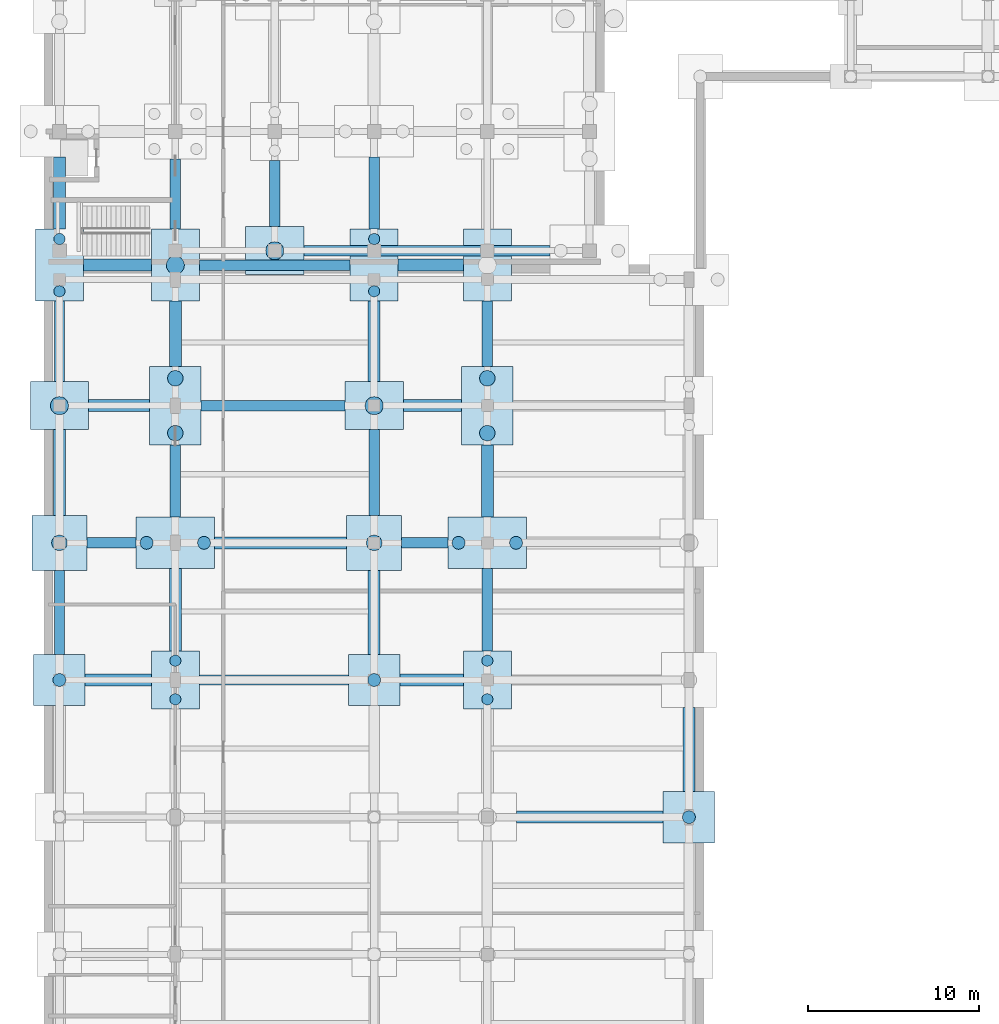
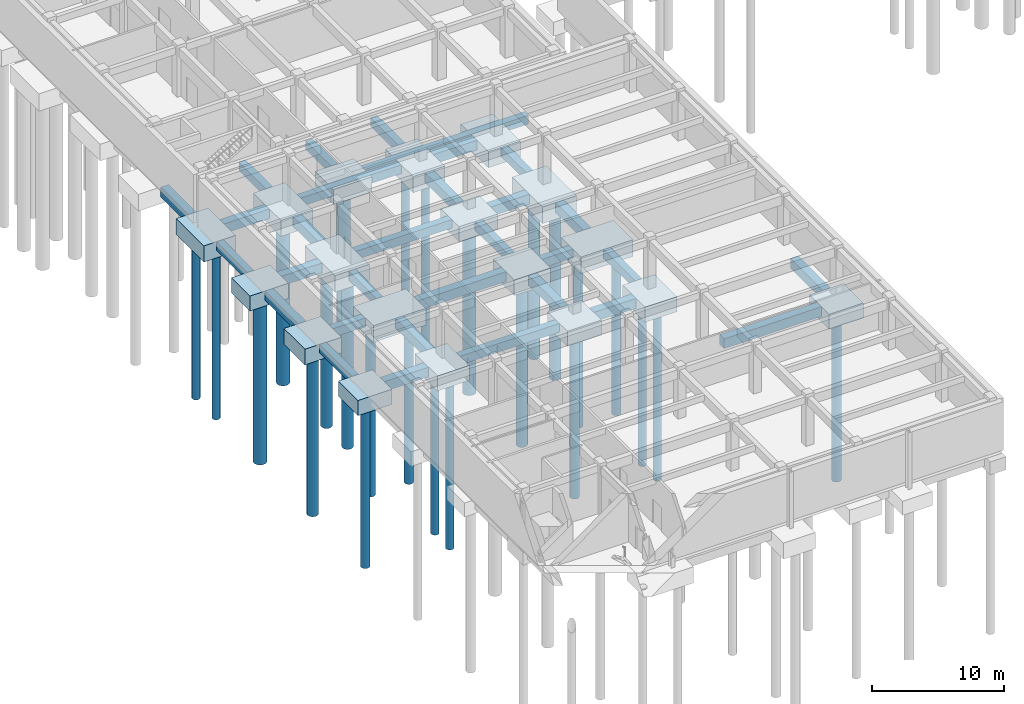
# One storey, part 2 of 35: 49 footings, 25 piles.
"""IFC4 building model written with IfcOpenShell, lengths in metres."""

from ifc_helpers import new_model, si_unit, direction, frame, origin, origin_2d, place, context, subcontext, project, spatial, polyline, rectangle, circle, outline, extrude, material, layer, layer_set, material_profile, profile_set, type_object, element, save


model = new_model("IFC4")

# Units and contexts
model_context = context("Model", 3, precision=1e-05, world=origin(), true_north=direction((0.0, 1.0)))
body_context = subcontext(model_context, "Body", "Model", "MODEL_VIEW")
ifc_project = project(units=[si_unit("LENGTHUNIT", "METRE"), si_unit("AREAUNIT", "SQUARE_METRE"), si_unit("VOLUMEUNIT", "CUBIC_METRE"), si_unit("PLANEANGLEUNIT", "RADIAN"), si_unit("MASSUNIT", "GRAM", prefix="KILO")], contexts=[model_context])

# Site, building, storey
site_placement = place(None, origin())
site = spatial("IfcSite", under=ifc_project, at=site_placement, CompositionType="ELEMENT")
building_placement = place(site_placement, origin())
building = spatial("IfcBuilding", under=site, at=building_placement, Name="Cinchona Park Media Centre", CompositionType="ELEMENT")
storey_placement = place(building_placement, frame((0.0, 0.0, -4.800048828125)))
storey = spatial("IfcBuildingStorey", under=building, at=storey_placement, Name="B1", CompositionType="ELEMENT", Elevation=-4.800048828125)

# Footings
ifc_material_1 = material(Name="Concrete C40/50", Category="concrete")
ifc_layer_1 = layer(ifc_material_1, 0.800048828125)
ifc_layer_set_1 = layer_set([ifc_layer_1], Name="Concrete C40/50")
footing_type_1 = type_object("IfcFootingType", Name="FTG-BEAM-FB01", PredefinedType="FOOTING_BEAM", material=ifc_layer_set_1)
footing_1_placement = place(storey_placement, frame((0.0, 0.0, -1.25)))
element("IfcFooting", 1, at=footing_1_placement, inside=storey, type_object=footing_type_1, Name="Ground Tie Beam FB01", PredefinedType="FOOTING_BEAM", context=body_context, shape_type="SweptSolid", body=[
    extrude(outline(polyline([(16.800048828125, 39.300048828125), (25.5, 39.300048828125), (25.5, 39.89990234375), (16.800048828125, 39.89990234375), (16.800048828125, 39.300048828125)])), origin(), (0.0, 0.0, 1.0), 0.800048828125),
])
footing_2_placement = place(storey_placement, frame((0.0, 0.0, -1.25)))
element("IfcFooting", 2, at=footing_2_placement, inside=storey, type_object=footing_type_1, Name="Ground Tie Beam FB01", PredefinedType="FOOTING_BEAM", context=body_context, shape_type="SweptSolid", body=[
    extrude(outline(polyline([(10.239990234375, 47.300048828125), (13.10009765625, 47.300048828125), (13.10009765625, 47.89990234375), (10.239990234375, 47.89990234375), (10.239990234375, 47.300048828125)])), origin(), (0.0, 0.0, 1.0), 0.800048828125),
])
footing_3_placement = place(storey_placement, frame((0.0, 0.0, -1.25)))
element("IfcFooting", 3, at=footing_3_placement, inside=storey, type_object=footing_type_1, Name="Ground Tie Beam FB01", PredefinedType="FOOTING_BEAM", context=body_context, shape_type="SweptSolid", body=[
    extrude(outline(polyline([(28.60009765625, 47.300048828125), (31.300048828125, 47.300048828125), (31.300048828125, 47.89990234375), (28.60009765625, 47.89990234375), (28.60009765625, 47.300048828125)])), origin(), (0.0, 0.0, 1.0), 0.800048828125),
])
footing_4_placement = place(storey_placement, frame((0.0, 0.0, -1.25)))
element("IfcFooting", 4, at=footing_4_placement, inside=storey, type_object=footing_type_1, Name="Ground Tie Beam FB01", PredefinedType="FOOTING_BEAM", context=body_context, shape_type="SweptSolid", body=[
    extrude(outline(polyline([(16.89990234375, 55.300048828125), (25.300048828125, 55.300048828125), (25.300048828125, 55.89990234375), (16.89990234375, 55.89990234375), (16.89990234375, 55.300048828125)])), origin(), (0.0, 0.0, 1.0), 0.800048828125),
])
footing_5_placement = place(storey_placement, frame((0.0, 0.0, -1.25)))
element("IfcFooting", 5, at=footing_5_placement, inside=storey, type_object=footing_type_1, Name="Ground Tie Beam FB01", PredefinedType="FOOTING_BEAM", context=body_context, shape_type="SweptSolid", body=[
    extrude(outline(polyline([(16.800048828125, 63.5), (25.60009765625, 63.5), (25.60009765625, 64.10009765625), (16.800048828125, 64.10009765625), (16.800048828125, 63.5)])), origin(), (0.0, 0.0, 1.0), 0.800048828125),
])
footing_6_placement = place(storey_placement, frame((0.0, 0.0, -1.25)))
element("IfcFooting", 6, at=footing_6_placement, inside=storey, type_object=footing_type_1, Name="Ground Tie Beam FB01", PredefinedType="FOOTING_BEAM", context=body_context, shape_type="SweptSolid", body=[
    extrude(outline(polyline([(22.89990234375, 64.340087890625), (37.260009765625, 64.340087890625), (37.260009765625, 64.93994140625), (22.89990234375, 64.93994140625), (22.89990234375, 64.340087890625)])), origin(), (0.0, 0.0, 1.0), 0.800048828125),
])
footing_7_placement = place(storey_placement, frame((0.0, 0.0, -1.25)))
element("IfcFooting", 7, at=footing_7_placement, inside=storey, type_object=footing_type_1, Name="Ground Tie Beam FB01", PredefinedType="FOOTING_BEAM", context=body_context, shape_type="SweptSolid", body=[
    extrude(outline(polyline([(8.340087890625, 41.10009765625), (8.93994140625, 41.10009765625), (8.93994140625, 46.0), (8.340087890625, 46.0), (8.340087890625, 41.10009765625)])), origin(), (0.0, 0.0, 1.0), 0.800048828125),
])
footing_8_placement = place(storey_placement, frame((0.0, 0.0, -1.25)))
element("IfcFooting", 8, at=footing_8_placement, inside=storey, type_object=footing_type_1, Name="Ground Tie Beam FB01", PredefinedType="FOOTING_BEAM", context=body_context, shape_type="SweptSolid", body=[
    extrude(outline(polyline([(8.340087890625, 57.0), (8.93994140625, 57.0), (8.93994140625, 61.699951171875), (8.340087890625, 61.699951171875), (8.340087890625, 57.0)])), origin(), (0.0, 0.0, 1.0), 0.800048828125),
])
footing_9_placement = place(storey_placement, frame((0.0, 0.0, -1.25)))
element("IfcFooting", 9, at=footing_9_placement, inside=storey, type_object=footing_type_1, Name="Ground Tie Beam FB01", PredefinedType="FOOTING_BEAM", context=body_context, shape_type="SweptSolid", body=[
    extrude(outline(polyline([(15.10009765625, 49.10009765625), (15.699951171875, 49.10009765625), (15.699951171875, 53.300048828125), (15.10009765625, 53.300048828125), (15.10009765625, 49.10009765625)])), origin(), (0.0, 0.0, 1.0), 0.800048828125),
])
footing_10_placement = place(storey_placement, frame((0.0, 0.0, -1.25)))
element("IfcFooting", 10, at=footing_10_placement, inside=storey, type_object=footing_type_1, Name="Ground Tie Beam FB01", PredefinedType="FOOTING_BEAM", context=body_context, shape_type="SweptSolid", body=[
    extrude(outline(polyline([(15.10009765625, 65.89990234375), (15.699951171875, 65.89990234375), (15.699951171875, 70.0), (15.10009765625, 70.0), (15.10009765625, 65.89990234375)])), origin(), (0.0, 0.0, 1.0), 0.800048828125),
])
footing_11_placement = place(storey_placement, frame((0.0, 0.0, -1.25)))
element("IfcFooting", 11, at=footing_11_placement, inside=storey, type_object=footing_type_1, Name="Ground Tie Beam FB01", PredefinedType="FOOTING_BEAM", context=body_context, shape_type="SweptSolid", body=[
    extrude(outline(polyline([(20.89990234375, 66.0400390625), (21.5, 66.0400390625), (21.5, 69.89990234375), (20.89990234375, 69.89990234375), (20.89990234375, 66.0400390625)])), origin(), (0.0, 0.0, 1.0), 0.800048828125),
])
footing_12_placement = place(storey_placement, frame((0.0, 0.0, -1.25)))
element("IfcFooting", 12, at=footing_12_placement, inside=storey, type_object=footing_type_1, Name="Ground Tie Beam FB01", PredefinedType="FOOTING_BEAM", context=body_context, shape_type="SweptSolid", body=[
    extrude(outline(polyline([(26.699951171875, 49.199951171875), (27.300048828125, 49.199951171875), (27.300048828125, 54.199951171875), (26.699951171875, 54.199951171875), (26.699951171875, 49.199951171875)])), origin(), (0.0, 0.0, 1.0), 0.800048828125),
])
footing_13_placement = place(storey_placement, frame((0.0, 0.0, -1.25)))
element("IfcFooting", 13, at=footing_13_placement, inside=storey, type_object=footing_type_1, Name="Ground Tie Beam FB01", PredefinedType="FOOTING_BEAM", context=body_context, shape_type="SweptSolid", body=[
    extrude(outline(polyline([(26.699951171875, 65.89990234375), (27.300048828125, 65.89990234375), (27.300048828125, 70.10009765625), (26.699951171875, 70.10009765625), (26.699951171875, 65.89990234375)])), origin(), (0.0, 0.0, 1.0), 0.800048828125),
])
footing_14_placement = place(storey_placement, frame((0.0, 0.0, -1.25)))
element("IfcFooting", 14, at=footing_14_placement, inside=storey, type_object=footing_type_1, Name="Ground Tie Beam FB01", PredefinedType="FOOTING_BEAM", context=body_context, shape_type="SweptSolid", body=[
    extrude(outline(polyline([(33.300048828125, 41.300048828125), (33.89990234375, 41.300048828125), (33.89990234375, 46.10009765625), (33.300048828125, 46.10009765625), (33.300048828125, 41.300048828125)])), origin(), (0.0, 0.0, 1.0), 0.800048828125),
])
footing_15_placement = place(storey_placement, frame((0.0, 0.0, -1.25)))
element("IfcFooting", 15, at=footing_15_placement, inside=storey, type_object=footing_type_1, Name="Ground Tie Beam FB01", PredefinedType="FOOTING_BEAM", context=body_context, shape_type="SweptSolid", body=[
    extrude(outline(polyline([(33.300048828125, 57.89990234375), (33.89990234375, 57.89990234375), (33.89990234375, 61.699951171875), (33.300048828125, 61.699951171875), (33.300048828125, 57.89990234375)])), origin(), (0.0, 0.0, 1.0), 0.800048828125),
])
ifc_material_2 = material(Name="Concrete C40/50", Category="concrete")
ifc_layer_2 = layer(ifc_material_2, 0.89990234375)
ifc_layer_set_2 = layer_set([ifc_layer_2], Name="Concrete C40/50")
footing_type_2 = type_object("IfcFootingType", Name="FTG-BEAM-FB02", PredefinedType="FOOTING_BEAM", material=ifc_layer_set_2)
footing_16_placement = place(storey_placement, frame((0.0, 0.0, -1.349853515625)))
element("IfcFooting", 16, at=footing_16_placement, inside=storey, type_object=footing_type_2, Name="Ground Tie Beam FB02", PredefinedType="FOOTING_BEAM", context=body_context, shape_type="SweptSolid", body=[
    extrude(outline(polyline([(35.300048828125, 31.25), (43.860107421875, 31.25), (43.860107421875, 31.949951171875), (35.300048828125, 31.949951171875), (35.300048828125, 31.25)])), origin(), (0.0, 0.0, 1.0), 0.89990234375),
])
footing_17_placement = place(storey_placement, frame((0.0, 0.0, -1.349853515625)))
element("IfcFooting", 17, at=footing_17_placement, inside=storey, type_object=footing_type_2, Name="Ground Tie Beam FB02", PredefinedType="FOOTING_BEAM", context=body_context, shape_type="SweptSolid", body=[
    extrude(outline(polyline([(10.139892578125, 39.25), (14.0, 39.25), (14.0, 39.949951171875), (10.139892578125, 39.949951171875), (10.139892578125, 39.25)])), origin(), (0.0, 0.0, 1.0), 0.89990234375),
])
footing_18_placement = place(storey_placement, frame((0.0, 0.0, -1.349853515625)))
element("IfcFooting", 18, at=footing_18_placement, inside=storey, type_object=footing_type_2, Name="Ground Tie Beam FB02", PredefinedType="FOOTING_BEAM", context=body_context, shape_type="SweptSolid", body=[
    extrude(outline(polyline([(28.5, 39.25), (32.199951171875, 39.25), (32.199951171875, 39.949951171875), (28.5, 39.949951171875), (28.5, 39.25)])), origin(), (0.0, 0.0, 1.0), 0.89990234375),
])
footing_19_placement = place(storey_placement, frame((0.0, 0.0, -1.349853515625)))
element("IfcFooting", 19, at=footing_19_placement, inside=storey, type_object=footing_type_2, Name="Ground Tie Beam FB02", PredefinedType="FOOTING_BEAM", context=body_context, shape_type="SweptSolid", body=[
    extrude(outline(polyline([(17.699951171875, 47.25), (25.39990234375, 47.25), (25.39990234375, 47.949951171875), (17.699951171875, 47.949951171875), (17.699951171875, 47.25)])), origin(), (0.0, 0.0, 1.0), 0.89990234375),
])
footing_20_placement = place(storey_placement, frame((0.0, 0.0, -1.349853515625)))
element("IfcFooting", 20, at=footing_20_placement, inside=storey, type_object=footing_type_2, Name="Ground Tie Beam FB02", PredefinedType="FOOTING_BEAM", context=body_context, shape_type="SweptSolid", body=[
    extrude(outline(polyline([(10.340087890625, 55.25), (13.89990234375, 55.25), (13.89990234375, 55.949951171875), (10.340087890625, 55.949951171875), (10.340087890625, 55.25)])), origin(), (0.0, 0.0, 1.0), 0.89990234375),
])
footing_21_placement = place(storey_placement, frame((0.0, 0.0, -1.349853515625)))
element("IfcFooting", 21, at=footing_21_placement, inside=storey, type_object=footing_type_2, Name="Ground Tie Beam FB02", PredefinedType="FOOTING_BEAM", context=body_context, shape_type="SweptSolid", body=[
    extrude(outline(polyline([(28.699951171875, 55.25), (32.10009765625, 55.25), (32.10009765625, 55.949951171875), (28.699951171875, 55.949951171875), (28.699951171875, 55.25)])), origin(), (0.0, 0.0, 1.0), 0.89990234375),
])
footing_22_placement = place(storey_placement, frame((0.0, 0.0, -1.349853515625)))
element("IfcFooting", 22, at=footing_22_placement, inside=storey, type_object=footing_type_2, Name="Ground Tie Beam FB02", PredefinedType="FOOTING_BEAM", context=body_context, shape_type="SweptSolid", body=[
    extrude(outline(polyline([(10.0400390625, 63.449951171875), (14.0, 63.449951171875), (14.0, 64.14990234375), (10.0400390625, 64.14990234375), (10.0400390625, 63.449951171875)])), origin(), (0.0, 0.0, 1.0), 0.89990234375),
])
footing_23_placement = place(storey_placement, frame((0.0, 0.0, -1.349853515625)))
element("IfcFooting", 23, at=footing_23_placement, inside=storey, type_object=footing_type_2, Name="Ground Tie Beam FB02", PredefinedType="FOOTING_BEAM", context=body_context, shape_type="SweptSolid", body=[
    extrude(outline(polyline([(28.39990234375, 63.449951171875), (32.199951171875, 63.449951171875), (32.199951171875, 64.14990234375), (28.39990234375, 64.14990234375), (28.39990234375, 63.449951171875)])), origin(), (0.0, 0.0, 1.0), 0.89990234375),
])
footing_24_placement = place(storey_placement, frame((0.0, 0.0, -1.349853515625)))
element("IfcFooting", 24, at=footing_24_placement, inside=storey, type_object=footing_type_2, Name="Ground Tie Beam FB02", PredefinedType="FOOTING_BEAM", context=body_context, shape_type="SweptSolid", body=[
    extrude(outline(polyline([(8.2900390625, 49.199951171875), (8.989990234375, 49.199951171875), (8.989990234375, 54.199951171875), (8.2900390625, 54.199951171875), (8.2900390625, 49.199951171875)])), origin(), (0.0, 0.0, 1.0), 0.89990234375),
])
footing_25_placement = place(storey_placement, frame((0.0, 0.0, -1.349853515625)))
element("IfcFooting", 25, at=footing_25_placement, inside=storey, type_object=footing_type_2, Name="Ground Tie Beam FB02", PredefinedType="FOOTING_BEAM", context=body_context, shape_type="SweptSolid", body=[
    extrude(outline(polyline([(8.2900390625, 65.89990234375), (8.989990234375, 65.89990234375), (8.989990234375, 70.10009765625), (8.2900390625, 70.10009765625), (8.2900390625, 65.89990234375)])), origin(), (0.0, 0.0, 1.0), 0.89990234375),
])
footing_26_placement = place(storey_placement, frame((0.0, 0.0, -1.349853515625)))
element("IfcFooting", 26, at=footing_26_placement, inside=storey, type_object=footing_type_2, Name="Ground Tie Beam FB02", PredefinedType="FOOTING_BEAM", context=body_context, shape_type="SweptSolid", body=[
    extrude(outline(polyline([(15.050048828125, 41.300048828125), (15.75, 41.300048828125), (15.75, 46.10009765625), (15.050048828125, 46.10009765625), (15.050048828125, 41.300048828125)])), origin(), (0.0, 0.0, 1.0), 0.89990234375),
])
footing_27_placement = place(storey_placement, frame((0.0, 0.0, -1.349853515625)))
element("IfcFooting", 27, at=footing_27_placement, inside=storey, type_object=footing_type_2, Name="Ground Tie Beam FB02", PredefinedType="FOOTING_BEAM", context=body_context, shape_type="SweptSolid", body=[
    extrude(outline(polyline([(15.050048828125, 57.89990234375), (15.75, 57.89990234375), (15.75, 61.699951171875), (15.050048828125, 61.699951171875), (15.050048828125, 57.89990234375)])), origin(), (0.0, 0.0, 1.0), 0.89990234375),
])
footing_28_placement = place(storey_placement, frame((0.0, 0.0, -1.349853515625)))
element("IfcFooting", 28, at=footing_28_placement, inside=storey, type_object=footing_type_2, Name="Ground Tie Beam FB02", PredefinedType="FOOTING_BEAM", context=body_context, shape_type="SweptSolid", body=[
    extrude(outline(polyline([(26.64990234375, 41.10009765625), (27.35009765625, 41.10009765625), (27.35009765625, 46.0), (26.64990234375, 46.0), (26.64990234375, 41.10009765625)])), origin(), (0.0, 0.0, 1.0), 0.89990234375),
])
footing_29_placement = place(storey_placement, frame((0.0, 0.0, -1.349853515625)))
element("IfcFooting", 29, at=footing_29_placement, inside=storey, type_object=footing_type_2, Name="Ground Tie Beam FB02", PredefinedType="FOOTING_BEAM", context=body_context, shape_type="SweptSolid", body=[
    extrude(outline(polyline([(26.64990234375, 57.0), (27.35009765625, 57.0), (27.35009765625, 61.699951171875), (26.64990234375, 61.699951171875), (26.64990234375, 57.0)])), origin(), (0.0, 0.0, 1.0), 0.89990234375),
])
footing_30_placement = place(storey_placement, frame((0.0, 0.0, -1.349853515625)))
element("IfcFooting", 30, at=footing_30_placement, inside=storey, type_object=footing_type_2, Name="Ground Tie Beam FB02", PredefinedType="FOOTING_BEAM", context=body_context, shape_type="SweptSolid", body=[
    extrude(outline(polyline([(33.25, 49.10009765625), (33.949951171875, 49.10009765625), (33.949951171875, 53.300048828125), (33.25, 53.300048828125), (33.25, 49.10009765625)])), origin(), (0.0, 0.0, 1.0), 0.89990234375),
])
footing_31_placement = place(storey_placement, frame((0.0, 0.0, -1.349853515625)))
element("IfcFooting", 31, at=footing_31_placement, inside=storey, type_object=footing_type_2, Name="Ground Tie Beam FB02", PredefinedType="FOOTING_BEAM", context=body_context, shape_type="SweptSolid", body=[
    extrude(outline(polyline([(45.010009765625, 33.10009765625), (45.7099609375, 33.10009765625), (45.7099609375, 38.0), (45.010009765625, 38.0), (45.010009765625, 33.10009765625)])), origin(), (0.0, 0.0, 1.0), 0.89990234375),
])

# Piles
ifc_material_3 = material(Name="Concrete C40/50", Category="concrete")
ifc_material_profile_1 = material_profile(ifc_material_3, circle(Radius=0.52490234375, at=origin_2d()), Name="BORED PILE 1050")
ifc_profile_set_1 = profile_set([ifc_material_profile_1], Name="Concrete C40/50")
pile_type_1 = type_object("IfcPileType", Name="PILE-BP1050", PredefinedType="BORED", material=ifc_profile_set_1)
pile_1_placement = place(storey_placement, frame((8.639892578125, 55.60009765625, -1.75), z_axis=(0.0, 0.0, -1.0), x_axis=(1.0, 0.0, 0.0)))
element("IfcPile", 32, at=pile_1_placement, inside=storey, type_object=pile_type_1, Name="Bored Pile P1050", PredefinedType="BORED", context=body_context, shape_type="SweptSolid", body=[
    extrude(circle(Radius=0.52490234375, at=origin_2d()), origin(), (0.0, 0.0, 1.0), 15.449951171875),
])
pile_2_placement = place(storey_placement, frame((15.39990234375, 63.800048828125, -1.849853515625), z_axis=(0.0, 0.0, -1.0), x_axis=(1.0, 0.0, 0.0)))
element("IfcPile", 33, at=pile_2_placement, inside=storey, type_object=pile_type_1, Name="Bored Pile P1050", PredefinedType="BORED", context=body_context, shape_type="SweptSolid", body=[
    extrude(circle(Radius=0.52490234375, at=origin_2d()), origin(), (0.0, 0.0, 1.0), 15.35009765625),
])
for number, where, z_axis, x_axis, name in (
    (34, (21.199951171875, 64.639892578125, -1.75), (0.0, 0.0, -1.0), (1.0, 0.0, 0.0), "Bored Pile P1050"),
    (35, (27.0, 55.60009765625, -1.75), (0.0, 0.0, -1.0), (1.0, 0.0, 0.0), "Bored Pile P1050"),
):
    element("IfcPile", number, at=place(storey_placement, frame(where, z_axis=z_axis, x_axis=x_axis)), inside=storey, type_object=pile_type_1, Name=name, PredefinedType="BORED", context=body_context, shape_type="SweptSolid", body=[
        extrude(circle(Radius=0.52490234375, at=origin_2d()), origin(), (0.0, 0.0, 1.0), 15.449951171875),
    ])
ifc_material_4 = material(Name="Concrete C40/50", Category="concrete")
ifc_material_profile_2 = material_profile(ifc_material_4, circle(Radius=0.324951171875, at=origin_2d()), Name="BORED PILE 650")
ifc_profile_set_2 = profile_set([ifc_material_profile_2], Name="Concrete C40/50")
pile_type_2 = type_object("IfcPileType", Name="PILE-BP650", PredefinedType="BORED", material=ifc_profile_set_2)
for number, where, z_axis, x_axis, name in (
    (36, (8.639892578125, 62.27490234375, -1.849853515625), (0.0, 0.0, -1.0), (1.0, 0.0, 0.0), "Bored Pile P650"),
    (37, (8.639892578125, 65.324951171875, -1.849853515625), (0.0, 0.0, -1.0), (1.0, 0.0, 0.0), "Bored Pile P650"),
):
    element("IfcPile", number, at=place(storey_placement, frame(where, z_axis=z_axis, x_axis=x_axis)), inside=storey, type_object=pile_type_2, Name=name, PredefinedType="BORED", context=body_context, shape_type="SweptSolid", body=[
        extrude(circle(Radius=0.324951171875, at=origin_2d()), origin(), (0.0, 0.0, 1.0), 15.35009765625),
    ])
for number, where, z_axis, x_axis, name in (
    (38, (15.39990234375, 38.47509765625, -1.75), (0.0, 0.0, -1.0), (1.0, 0.0, 0.0), "Bored Pile P650"),
    (39, (15.39990234375, 40.72509765625, -1.75), (0.0, 0.0, -1.0), (1.0, 0.0, 0.0), "Bored Pile P650"),
):
    element("IfcPile", number, at=place(storey_placement, frame(where, z_axis=z_axis, x_axis=x_axis)), inside=storey, type_object=pile_type_2, Name=name, PredefinedType="BORED", context=body_context, shape_type="SweptSolid", body=[
        extrude(circle(Radius=0.324951171875, at=origin_2d()), origin(), (0.0, 0.0, 1.0), 15.449951171875),
    ])
for number, where, z_axis, x_axis, name in (
    (40, (27.0, 62.27490234375, -1.849853515625), (0.0, 0.0, -1.0), (1.0, 0.0, 0.0), "Bored Pile P650"),
    (41, (27.0, 65.324951171875, -1.849853515625), (0.0, 0.0, -1.0), (1.0, 0.0, 0.0), "Bored Pile P650"),
):
    element("IfcPile", number, at=place(storey_placement, frame(where, z_axis=z_axis, x_axis=x_axis)), inside=storey, type_object=pile_type_2, Name=name, PredefinedType="BORED", context=body_context, shape_type="SweptSolid", body=[
        extrude(circle(Radius=0.324951171875, at=origin_2d()), origin(), (0.0, 0.0, 1.0), 15.35009765625),
    ])
for number, where, z_axis, x_axis, name in (
    (42, (33.60009765625, 38.47509765625, -1.75), (0.0, 0.0, -1.0), (1.0, 0.0, 0.0), "Bored Pile P650"),
    (43, (33.60009765625, 40.72509765625, -1.75), (0.0, 0.0, -1.0), (1.0, 0.0, 0.0), "Bored Pile P650"),
):
    element("IfcPile", number, at=place(storey_placement, frame(where, z_axis=z_axis, x_axis=x_axis)), inside=storey, type_object=pile_type_2, Name=name, PredefinedType="BORED", context=body_context, shape_type="SweptSolid", body=[
        extrude(circle(Radius=0.324951171875, at=origin_2d()), origin(), (0.0, 0.0, 1.0), 15.449951171875),
    ])
ifc_material_5 = material(Name="Concrete C40/50", Category="concrete")
ifc_material_profile_3 = material_profile(ifc_material_5, circle(Radius=0.375, at=origin_2d()), Name="BORED PILE 750")
ifc_profile_set_3 = profile_set([ifc_material_profile_3], Name="Concrete C40/50")
pile_type_3 = type_object("IfcPileType", Name="PILE-BP750", PredefinedType="BORED", material=ifc_profile_set_3)
pile_3_placement = place(storey_placement, frame((8.639892578125, 39.60009765625, -1.75), z_axis=(0.0, 0.0, -1.0), x_axis=(1.0, 0.0, 0.0)))
element("IfcPile", 44, at=pile_3_placement, inside=storey, type_object=pile_type_3, Name="Bored Pile P750", PredefinedType="BORED", context=body_context, shape_type="SweptSolid", body=[
    extrude(circle(Radius=0.375, at=origin_2d()), origin(), (0.0, 0.0, 1.0), 15.449951171875),
])
for number, where, z_axis, x_axis, name in (
    (45, (13.72509765625, 47.60009765625, -1.89990234375), (0.0, 0.0, -1.0), (1.0, 0.0, 0.0), "Bored Pile P750"),
    (46, (17.074951171875, 47.60009765625, -1.89990234375), (0.0, 0.0, -1.0), (1.0, 0.0, 0.0), "Bored Pile P750"),
):
    element("IfcPile", number, at=place(storey_placement, frame(where, z_axis=z_axis, x_axis=x_axis)), inside=storey, type_object=pile_type_3, Name=name, PredefinedType="BORED", context=body_context, shape_type="SweptSolid", body=[
        extrude(circle(Radius=0.375, at=origin_2d()), origin(), (0.0, 0.0, 1.0), 15.300048828125),
    ])
pile_4_placement = place(storey_placement, frame((27.0, 39.60009765625, -1.75), z_axis=(0.0, 0.0, -1.0), x_axis=(1.0, 0.0, 0.0)))
element("IfcPile", 47, at=pile_4_placement, inside=storey, type_object=pile_type_3, Name="Bored Pile P750", PredefinedType="BORED", context=body_context, shape_type="SweptSolid", body=[
    extrude(circle(Radius=0.375, at=origin_2d()), origin(), (0.0, 0.0, 1.0), 15.449951171875),
])
for number, where, z_axis, x_axis, name in (
    (48, (31.925048828125, 47.60009765625, -1.89990234375), (0.0, 0.0, -1.0), (1.0, 0.0, 0.0), "Bored Pile P750"),
    (49, (35.27490234375, 47.60009765625, -1.89990234375), (0.0, 0.0, -1.0), (1.0, 0.0, 0.0), "Bored Pile P750"),
):
    element("IfcPile", number, at=place(storey_placement, frame(where, z_axis=z_axis, x_axis=x_axis)), inside=storey, type_object=pile_type_3, Name=name, PredefinedType="BORED", context=body_context, shape_type="SweptSolid", body=[
        extrude(circle(Radius=0.375, at=origin_2d()), origin(), (0.0, 0.0, 1.0), 15.300048828125),
    ])
pile_5_placement = place(storey_placement, frame((45.360107421875, 31.60009765625, -1.75), z_axis=(0.0, 0.0, -1.0), x_axis=(1.0, 0.0, 0.0)))
element("IfcPile", 50, at=pile_5_placement, inside=storey, type_object=pile_type_3, Name="Bored Pile P750", PredefinedType="BORED", context=body_context, shape_type="SweptSolid", body=[
    extrude(circle(Radius=0.375, at=origin_2d()), origin(), (0.0, 0.0, 1.0), 15.449951171875),
])
ifc_material_6 = material(Name="Concrete C40/50", Category="concrete")
ifc_material_profile_4 = material_profile(ifc_material_6, circle(Radius=0.449951171875, at=origin_2d()), Name="BORED PILE 900")
ifc_profile_set_4 = profile_set([ifc_material_profile_4], Name="Concrete C40/50")
pile_type_4 = type_object("IfcPileType", Name="PILE-BP900", PredefinedType="BORED", material=ifc_profile_set_4)
pile_6_placement = place(storey_placement, frame((8.639892578125, 47.60009765625, -1.800048828125), z_axis=(0.0, 0.0, -1.0), x_axis=(1.0, 0.0, 0.0)))
element("IfcPile", 51, at=pile_6_placement, inside=storey, type_object=pile_type_4, Name="Bored Pile P900", PredefinedType="BORED", context=body_context, shape_type="SweptSolid", body=[
    extrude(circle(Radius=0.449951171875, at=origin_2d()), origin(), (0.0, 0.0, 1.0), 15.39990234375),
])
for number, where, z_axis, x_axis, name in (
    (52, (15.39990234375, 54.0, -1.89990234375), (0.0, 0.0, -1.0), (1.0, 0.0, 0.0), "Bored Pile P900"),
    (53, (15.39990234375, 57.199951171875, -1.89990234375), (0.0, 0.0, -1.0), (1.0, 0.0, 0.0), "Bored Pile P900"),
):
    element("IfcPile", number, at=place(storey_placement, frame(where, z_axis=z_axis, x_axis=x_axis)), inside=storey, type_object=pile_type_4, Name=name, PredefinedType="BORED", context=body_context, shape_type="SweptSolid", body=[
        extrude(circle(Radius=0.449951171875, at=origin_2d()), origin(), (0.0, 0.0, 1.0), 15.300048828125),
    ])
pile_7_placement = place(storey_placement, frame((27.0, 47.60009765625, -1.800048828125), z_axis=(0.0, 0.0, -1.0), x_axis=(1.0, 0.0, 0.0)))
element("IfcPile", 54, at=pile_7_placement, inside=storey, type_object=pile_type_4, Name="Bored Pile P900", PredefinedType="BORED", context=body_context, shape_type="SweptSolid", body=[
    extrude(circle(Radius=0.449951171875, at=origin_2d()), origin(), (0.0, 0.0, 1.0), 15.39990234375),
])
for number, where, z_axis, x_axis, name in (
    (55, (33.60009765625, 54.0, -1.89990234375), (0.0, 0.0, -1.0), (1.0, 0.0, 0.0), "Bored Pile P900"),
    (56, (33.60009765625, 57.199951171875, -1.89990234375), (0.0, 0.0, -1.0), (1.0, 0.0, 0.0), "Bored Pile P900"),
):
    element("IfcPile", number, at=place(storey_placement, frame(where, z_axis=z_axis, x_axis=x_axis)), inside=storey, type_object=pile_type_4, Name=name, PredefinedType="BORED", context=body_context, shape_type="SweptSolid", body=[
        extrude(circle(Radius=0.449951171875, at=origin_2d()), origin(), (0.0, 0.0, 1.0), 15.300048828125),
    ])

# Footings
ifc_material_7 = material(Name="Concrete C40/50", Category="concrete")
ifc_layer_3 = layer(ifc_material_7, 1.39990234375)
ifc_layer_set_3 = layer_set([ifc_layer_3], Name="Concrete C40/50")
footing_type_3 = type_object("IfcFootingType", Name="PILE-CAP-PC05", PredefinedType="PILE_CAP", material=ifc_layer_set_3)
for number, where, z_axis, x_axis, name in (
    (57, (8.639892578125, 39.60009765625, -1.849853515625), (0.0, 0.0, 1.0), (1.0, 0.0, 0.0), "Pile Cap PC05"),
    (58, (27.0, 39.60009765625, -1.849853515625), (0.0, 0.0, 1.0), (1.0, 0.0, 0.0), "Pile Cap PC05"),
    (59, (45.360107421875, 31.60009765625, -1.849853515625), (0.0, 0.0, 1.0), (1.0, 0.0, 0.0), "Pile Cap PC05"),
):
    element("IfcFooting", number, at=place(storey_placement, frame(where, z_axis=z_axis, x_axis=x_axis)), inside=storey, type_object=footing_type_3, Name=name, PredefinedType="PILE_CAP", context=body_context, shape_type="SweptSolid", body=[
        extrude(rectangle(XDim=3.0, YDim=3.0, at=origin_2d()), origin(), (0.0, 0.0, 1.0), 1.39990234375),
    ])
ifc_material_8 = material(Name="Concrete C40/50", Category="concrete")
ifc_layer_4 = layer(ifc_material_8, 1.449951171875)
ifc_layer_set_4 = layer_set([ifc_layer_4], Name="Concrete C40/50")
footing_type_4 = type_object("IfcFootingType", Name="PILE-CAP-PC06", PredefinedType="PILE_CAP", material=ifc_layer_set_4)
for number, where, z_axis, x_axis, name in (
    (60, (8.639892578125, 47.60009765625, -1.89990234375), (0.0, 0.0, 1.0), (1.0, 0.0, 0.0), "Pile Cap PC06"),
    (61, (27.0, 47.60009765625, -1.89990234375), (0.0, 0.0, 1.0), (1.0, 0.0, 0.0), "Pile Cap PC06"),
):
    element("IfcFooting", number, at=place(storey_placement, frame(where, z_axis=z_axis, x_axis=x_axis)), inside=storey, type_object=footing_type_4, Name=name, PredefinedType="PILE_CAP", context=body_context, shape_type="SweptSolid", body=[
        extrude(rectangle(XDim=3.199951171875, YDim=3.199951171875, at=origin_2d()), origin(), (0.0, 0.0, 1.0), 1.449951171875),
    ])
ifc_material_9 = material(Name="Concrete C40/50", Category="concrete")
ifc_layer_5 = layer(ifc_material_9, 1.39990234375)
ifc_layer_set_5 = layer_set([ifc_layer_5], Name="Concrete C40/50")
footing_type_5 = type_object("IfcFootingType", Name="PILE-CAP-PC07", PredefinedType="PILE_CAP", material=ifc_layer_set_5)
for number, where, z_axis, x_axis, name in (
    (62, (8.639892578125, 55.60009765625, -1.849853515625), (0.0, 0.0, 1.0), (1.0, 0.0, 0.0), "Pile Cap PC07"),
    (63, (21.199951171875, 64.639892578125, -1.849853515625), (0.0, 0.0, 1.0), (1.0, 0.0, 0.0), "Pile Cap PC07"),
    (64, (27.0, 55.60009765625, -1.849853515625), (0.0, 0.0, 1.0), (1.0, 0.0, 0.0), "Pile Cap PC07"),
):
    element("IfcFooting", number, at=place(storey_placement, frame(where, z_axis=z_axis, x_axis=x_axis)), inside=storey, type_object=footing_type_5, Name=name, PredefinedType="PILE_CAP", context=body_context, shape_type="SweptSolid", body=[
        extrude(rectangle(XDim=3.39990234375, YDim=2.800048828125, at=origin_2d()), origin(), (0.0, 0.0, 1.0), 1.39990234375),
    ])
ifc_material_10 = material(Name="Concrete C40/50", Category="concrete")
ifc_layer_6 = layer(ifc_material_10, 1.39990234375)
ifc_layer_set_6 = layer_set([ifc_layer_6], Name="Concrete C40/50")
footing_type_6 = type_object("IfcFootingType", Name="PILE-CAP-PC08", PredefinedType="PILE_CAP", material=ifc_layer_set_6)
for number, where, z_axis, x_axis, name in (
    (65, (15.39990234375, 39.60009765625, -1.849853515625), (0.0, 0.0, 1.0), (1.0, 0.0, 0.0), "Pile Cap PC08"),
    (66, (33.60009765625, 39.60009765625, -1.849853515625), (0.0, 0.0, 1.0), (1.0, 0.0, 0.0), "Pile Cap PC08"),
):
    element("IfcFooting", number, at=place(storey_placement, frame(where, z_axis=z_axis, x_axis=x_axis)), inside=storey, type_object=footing_type_6, Name=name, PredefinedType="PILE_CAP", context=body_context, shape_type="SweptSolid", body=[
        extrude(rectangle(XDim=2.800048828125, YDim=3.39990234375, at=origin_2d()), origin(), (0.0, 0.0, 1.0), 1.39990234375),
    ])
ifc_material_11 = material(Name="Concrete C40/50", Category="concrete")
ifc_layer_7 = layer(ifc_material_11, 1.5)
ifc_layer_set_7 = layer_set([ifc_layer_7], Name="Concrete C40/50")
footing_type_7 = type_object("IfcFootingType", Name="PILE-CAP-PC10", PredefinedType="PILE_CAP", material=ifc_layer_set_7)
for number, where, z_axis, x_axis, name in (
    (67, (8.639892578125, 63.800048828125, -1.949951171875), (0.0, 0.0, 1.0), (1.0, 0.0, 0.0), "Pile Cap PC10"),
    (68, (15.39990234375, 63.800048828125, -1.949951171875), (0.0, 0.0, 1.0), (1.0, 0.0, 0.0), "Pile Cap PC10"),
    (69, (27.0, 63.800048828125, -1.949951171875), (0.0, 0.0, 1.0), (1.0, 0.0, 0.0), "Pile Cap PC10"),
    (70, (33.60009765625, 63.800048828125, -1.949951171875), (0.0, 0.0, 1.0), (1.0, 0.0, 0.0), "Pile Cap PC10"),
):
    element("IfcFooting", number, at=place(storey_placement, frame(where, z_axis=z_axis, x_axis=x_axis)), inside=storey, type_object=footing_type_7, Name=name, PredefinedType="PILE_CAP", context=body_context, shape_type="SweptSolid", body=[
        extrude(rectangle(XDim=2.800048828125, YDim=4.199951171875, at=origin_2d()), origin(), (0.0, 0.0, 1.0), 1.5),
    ])
ifc_material_12 = material(Name="Concrete C40/50", Category="concrete")
ifc_layer_8 = layer(ifc_material_12, 1.550048828125)
ifc_layer_set_8 = layer_set([ifc_layer_8], Name="Concrete C40/50")
footing_type_8 = type_object("IfcFootingType", Name="PILE-CAP-PC11", PredefinedType="PILE_CAP", material=ifc_layer_set_8)
for number, where, z_axis, x_axis, name in (
    (71, (15.39990234375, 47.60009765625, -2.0), (0.0, 0.0, 1.0), (1.0, 0.0, 0.0), "Pile Cap PC11"),
    (72, (33.60009765625, 47.60009765625, -2.0), (0.0, 0.0, 1.0), (1.0, 0.0, 0.0), "Pile Cap PC11"),
):
    element("IfcFooting", number, at=place(storey_placement, frame(where, z_axis=z_axis, x_axis=x_axis)), inside=storey, type_object=footing_type_8, Name=name, PredefinedType="PILE_CAP", context=body_context, shape_type="SweptSolid", body=[
        extrude(rectangle(XDim=4.60009765625, YDim=3.0, at=origin_2d()), origin(), (0.0, 0.0, 1.0), 1.550048828125),
    ])
ifc_material_13 = material(Name="Concrete C40/50", Category="concrete")
ifc_layer_9 = layer(ifc_material_13, 1.550048828125)
ifc_layer_set_9 = layer_set([ifc_layer_9], Name="Concrete C40/50")
footing_type_9 = type_object("IfcFootingType", Name="PILE-CAP-PC12", PredefinedType="PILE_CAP", material=ifc_layer_set_9)
for number, where, z_axis, x_axis, name in (
    (73, (15.39990234375, 55.60009765625, -2.0), (0.0, 0.0, 1.0), (1.0, 0.0, 0.0), "Pile Cap PC12"),
    (74, (33.60009765625, 55.60009765625, -2.0), (0.0, 0.0, 1.0), (1.0, 0.0, 0.0), "Pile Cap PC12"),
):
    element("IfcFooting", number, at=place(storey_placement, frame(where, z_axis=z_axis, x_axis=x_axis)), inside=storey, type_object=footing_type_9, Name=name, PredefinedType="PILE_CAP", context=body_context, shape_type="SweptSolid", body=[
        extrude(rectangle(XDim=3.0, YDim=4.60009765625, at=origin_2d()), origin(), (0.0, 0.0, 1.0), 1.550048828125),
    ])

save(model, "model.ifc")
